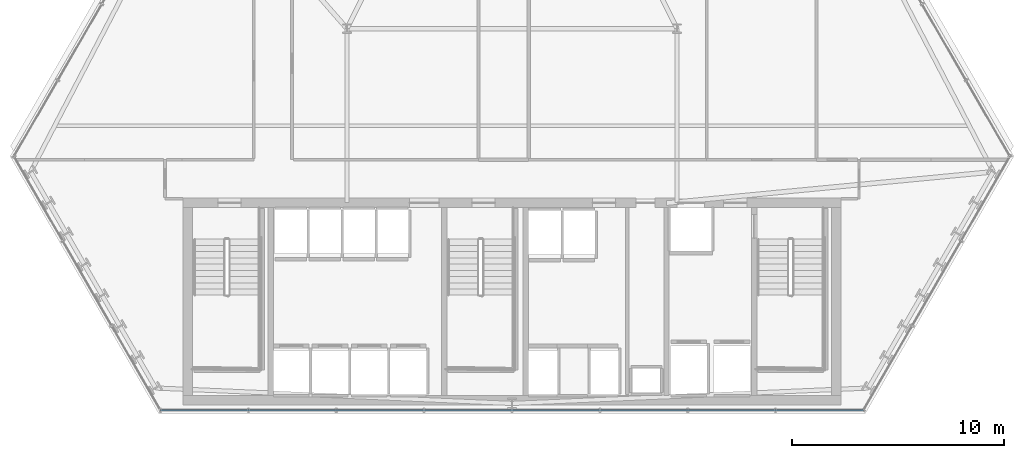
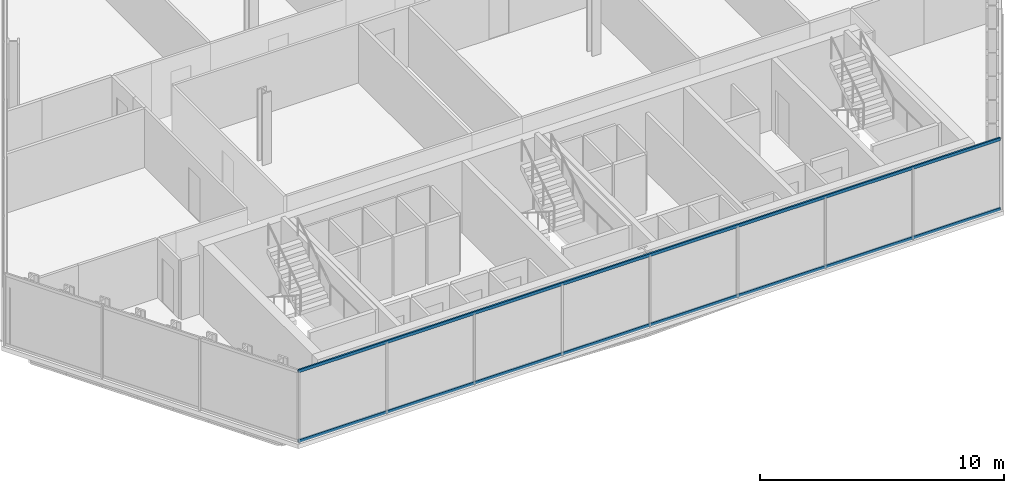
# One storey, part 8 of 32: 2 members, 1 element without a shape of its own.
"""IFC4 building model written with IfcOpenShell, lengths in metres."""

from ifc_helpers import new_model, si_unit, direction, frame, origin, origin_2d, place, context, subcontext, project, spatial, hollow_rectangle, extrude, material, layer, layer_set, material_profile, profile_set, type_object, element, aggregate, save


model = new_model("IFC4")

# Units and contexts
model_context = context("Model", 3, precision=1e-05, world=origin(), true_north=direction((0.0, 1.0)))
body_context = subcontext(model_context, "Body", "Model", "MODEL_VIEW")
ifc_project = project(units=[si_unit("LENGTHUNIT", "METRE"), si_unit("AREAUNIT", "SQUARE_METRE"), si_unit("VOLUMEUNIT", "CUBIC_METRE"), si_unit("PLANEANGLEUNIT", "RADIAN"), si_unit("MASSUNIT", "GRAM", prefix="KILO")], contexts=[model_context])

# Site, building, storey
site_placement = place(None, origin())
site = spatial("IfcSite", under=ifc_project, at=site_placement, CompositionType="ELEMENT")
building_placement = place(site_placement, origin())
building = spatial("IfcBuilding", under=site, at=building_placement, Name="Ndaravel Arena Tower", CompositionType="ELEMENT")
storey_placement = place(building_placement, frame((0.0, 0.0, 93.0)))
storey = spatial("IfcBuildingStorey", under=building, at=storey_placement, Name="L21", CompositionType="ELEMENT", Elevation=93.0)

# Curtain wall, members
ifc_material_1 = material(Name="Aluminium", Category="aluminium")
ifc_layer = layer(ifc_material_1, 0.179931640625)
ifc_layer_set = layer_set([ifc_layer], Name="Aluminium")
curtain_wall_type = type_object("IfcCurtainWallType", Name="CW-SYS-03", PredefinedType="NOTDEFINED", material=ifc_layer_set)
curtain_wall_placement = place(storey_placement, origin())
curtain_wall = element("IfcCurtainWall", 1, at=curtain_wall_placement, inside=storey, type_object=curtain_wall_type, Name="L21 Faceted Crystal Curtain Wall CW-L21-E01", PredefinedType="NOTDEFINED")
ifc_material_2 = material(Name="Aluminium", Category="aluminium")
ifc_material_profile = material_profile(ifc_material_2, hollow_rectangle(XDim=0.074951171875, YDim=0.14990234375, WallThickness=0.00390625, at=origin_2d()), Name="CW TRANSOM 75x150x4")
ifc_profile_set = profile_set([ifc_material_profile], Name="Aluminium")
member_type = type_object("IfcMemberType", Name="MEM-CW-TRN150", PredefinedType="USERDEFINED", material=ifc_profile_set)
member_1_placement = place(storey_placement, frame((25.3876953125, 5.159912109375, 0.0400390625), z_axis=(1.0, 0.0, 0.0), x_axis=(0.0, 1.0, 0.0)))
member_1 = element("IfcMember", 2, at=member_1_placement, type_object=member_type, Name="CW-L21-E01 Transom 01", ObjectType="TRANSOM", PredefinedType="USERDEFINED", context=body_context, shape_type="SweptSolid", body=[
    extrude(hollow_rectangle(XDim=0.074951171875, YDim=0.14990234375, WallThickness=0.00390625, at=origin_2d()), origin(), (0.0, 0.0, 1.0), 33.224609375),
])
member_2_placement = place(storey_placement, frame((25.3876953125, 5.159912109375, 3.5400390625), z_axis=(1.0, 0.0, 0.0), x_axis=(0.0, 1.0, 0.0)))
member_2 = element("IfcMember", 3, at=member_2_placement, type_object=member_type, Name="CW-L21-E01 Transom 02", ObjectType="TRANSOM", PredefinedType="USERDEFINED", context=body_context, shape_type="SweptSolid", body=[
    extrude(hollow_rectangle(XDim=0.074951171875, YDim=0.14990234375, WallThickness=0.00390625, at=origin_2d()), origin(), (0.0, 0.0, 1.0), 33.224609375),
])
aggregate(curtain_wall, [member_1, member_2])

save(model, "model.ifc")
